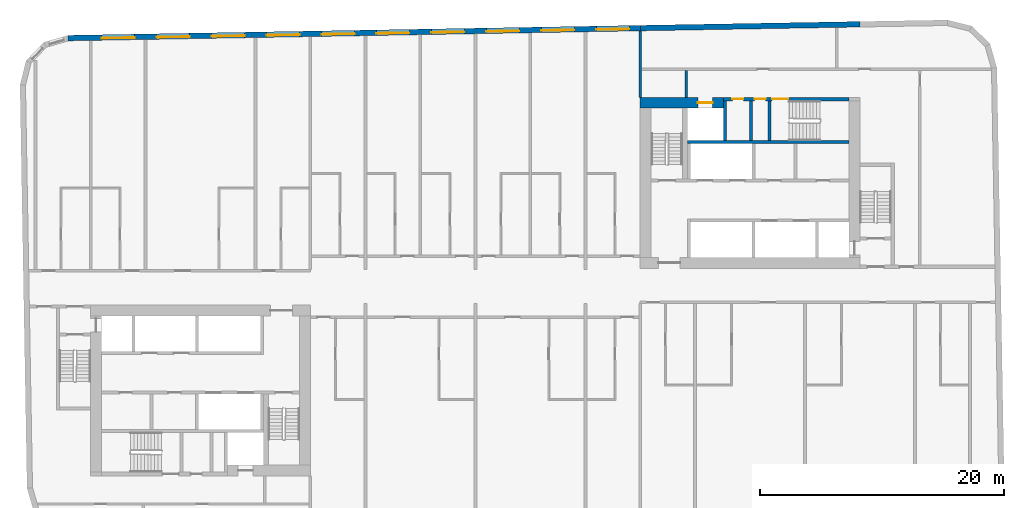
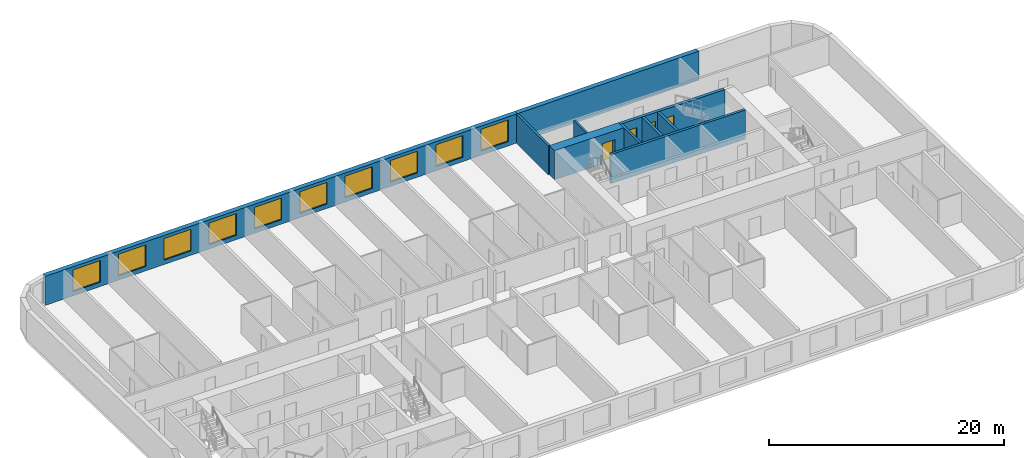
# One storey, part 6 of 11: 10 walls, 10 windows, 4 doors, 14 openings.
"""IFC4 building model written with IfcOpenShell, lengths in metres."""

from ifc_helpers import new_model, si_unit, direction, frame, frame_2d, origin, place, context, subcontext, project, spatial, rectangle, extrude, material, layer, layer_set, type_object, element, fill, save


model = new_model("IFC4")

# Units and contexts
model_context = context("Model", 3, precision=1e-05, world=origin(), true_north=direction((0.0, 1.0)))
body_context = subcontext(model_context, "Body", "Model", "MODEL_VIEW")
ifc_project = project(units=[si_unit("LENGTHUNIT", "METRE"), si_unit("AREAUNIT", "SQUARE_METRE"), si_unit("VOLUMEUNIT", "CUBIC_METRE"), si_unit("PLANEANGLEUNIT", "RADIAN"), si_unit("MASSUNIT", "GRAM", prefix="KILO")], contexts=[model_context])

# Site, building, storey
site_placement = place(None, origin())
site = spatial("IfcSite", under=ifc_project, at=site_placement, CompositionType="ELEMENT")
building_placement = place(site_placement, origin())
building = spatial("IfcBuilding", under=site, at=building_placement, Name="Kajstack Hotel Tower", CompositionType="ELEMENT")
storey_placement = place(building_placement, frame((0.0, 0.0, 224.300048828125)))
storey = spatial("IfcBuildingStorey", under=building, at=storey_placement, Name="L54", CompositionType="ELEMENT", Elevation=224.300048828125)

# Wall, opening, door
ifc_material_1 = material(Name="Concrete C60/75", Category="concrete")
ifc_layer_1 = layer(ifc_material_1, 0.89990234375)
ifc_layer_set_1 = layer_set([ifc_layer_1], Name="Core wall 900")
wall_type_1 = type_object("IfcWallType", Name="Core wall 900", PredefinedType="SHEAR", material=ifc_layer_set_1)
wall_1_placement = place(storey_placement, frame((13.5, 15.050048828125, 0.0), z_axis=(0.0, 0.0, 1.0), x_axis=(1.0, 0.0, 0.0)))
wall_1 = element("IfcWall", 1, at=wall_1_placement, inside=storey, type_object=wall_type_1, Name="Core wall E RS", PredefinedType="SHEAR", context=body_context, shape_type="SweptSolid", body=[
    extrude(rectangle(XDim=6.800048828125, YDim=0.89990234375, at=frame_2d((3.39990234375, 0.0))), origin(), (0.0, 0.0, 1.0), 3.02001953125),
])
opening_1_placement = place(wall_1_placement, frame((4.72509765625, 0.0, 0.0)))
opening_1 = element("IfcOpeningElement", 2, at=opening_1_placement, cuts=wall_1, Name="Opening LD-SV2", PredefinedType="OPENING", context=body_context, shape_type="SweptSolid", body=[
    extrude(rectangle(XDim=1.199951171875, YDim=2.10009765625, at=frame_2d((0.60009765625, 1.050048828125))), frame((0.0, 0.4599609375, 0.0), z_axis=(0.0, -1.0, 0.0), x_axis=(1.0, 0.0, 0.0)), (0.0, 0.0, 1.0), 0.919921875),
])
ifc_material_2 = material(Name="Stainless steel", Category="steel")
door_type_1 = type_object("IfcDoorType", Name="Lift landing door 1200", OperationType="SLIDING_TO_LEFT", PredefinedType="DOOR", material=ifc_material_2)
door_1_placement = place(opening_1_placement, origin())
door_1 = element("IfcDoor", 3, at=door_1_placement, inside=storey, type_object=door_type_1, Name="Landing door SV2", OperationType="SLIDING_TO_LEFT", OverallHeight=2.10009765625, OverallWidth=1.199951171875, PredefinedType="DOOR", context=body_context, shape_type="SweptSolid", body=[
    extrude(rectangle(XDim=1.199951171875, YDim=2.10009765625, at=frame_2d((0.60009765625, 1.050048828125))), frame((0.0, 0.02490234375, 0.0), z_axis=(0.0, -1.0, 0.0), x_axis=(1.0, 0.0, 0.0)), (0.0, 0.0, 1.0), 0.050048828125),
])
fill(opening_1, door_1)

# Walls
ifc_material_3 = material(Name="Twin-frame gypsum board on steel studs, mineral wool", Category="steel")
ifc_layer_2 = layer(ifc_material_3, 0.199951171875)
ifc_layer_set_2 = layer_set([ifc_layer_2], Name="Demising wall 200")
wall_type_2 = type_object("IfcWallType", Name="Demising wall 200", PredefinedType="PARTITIONING", material=ifc_layer_set_2)
wall_2_placement = place(storey_placement, frame((13.5, 15.5, 0.0), z_axis=(0.0, 0.0, 1.0), x_axis=(0.0, 1.0, 0.0)))
element("IfcWall", 4, at=wall_2_placement, inside=storey, type_object=wall_type_2, Name="G-wall-L54-001", PredefinedType="PARTITIONING", context=body_context, shape_type="SweptSolid", body=[
    extrude(rectangle(XDim=5.43603515625, YDim=0.199951171875, at=frame_2d((2.718017578125, 0.0))), origin(), (0.0, 0.0, 1.0), 3.02001953125),
])
ifc_material_4 = material(Name="Concrete C40/50", Category="concrete")
ifc_layer_3 = layer(ifc_material_4, 0.449951171875)
ifc_layer_set_3 = layer_set([ifc_layer_3], Name="EW-CORE")
wall_type_3 = type_object("IfcWallType", Name="EW-CORE", PredefinedType="SOLIDWALL", material=ifc_layer_set_3)
wall_3_placement = place(storey_placement, frame((31.50390625, 21.4755859375, 0.0), z_axis=(0.0, 0.0, 1.0), x_axis=(-0.999847677887, -0.017453395744, 0.0)))
element("IfcWall", 5, at=wall_3_placement, inside=storey, type_object=wall_type_3, Name="E-wall-L54-12-01", PredefinedType="SOLIDWALL", context=body_context, shape_type="SweptSolid", body=[
    extrude(rectangle(XDim=18.002685546875, YDim=0.449951171875, at=frame_2d((9.00146484375, 0.0))), origin(), (0.0, 0.0, 1.0), 3.02001953125),
])

# Wall, openings, windows
ifc_material_5 = material(Name="Terracotta-faced brick masonry", Category="masonry")
ifc_layer_4 = layer(ifc_material_5, 0.449951171875)
ifc_layer_set_4 = layer_set([ifc_layer_4], Name="EW-TERRA")
wall_type_4 = type_object("IfcWallType", Name="EW-TERRA", PredefinedType="SOLIDWALL", material=ifc_layer_set_4)
wall_4_placement = place(storey_placement, frame((13.50390625, 21.161376953125, 0.0), z_axis=(0.0, 0.0, 1.0), x_axis=(-0.999847763257, -0.017448504532, 0.0)))
wall_4 = element("IfcWall", 6, at=wall_4_placement, inside=storey, type_object=wall_type_4, Name="E-wall-L54-12-02", PredefinedType="SOLIDWALL", context=body_context, shape_type="SweptSolid", body=[
    extrude(rectangle(XDim=46.859375, YDim=0.449951171875, at=frame_2d((23.4296875, 0.0))), origin(), (0.0, 0.0, 1.0), 3.02001953125),
])
opening_2_placement = place(wall_4_placement, frame((0.900390625, 0.0, 0.449951171875)))
opening_2 = element("IfcOpeningElement", 7, at=opening_2_placement, cuts=wall_4, Name="Opening W1", PredefinedType="OPENING", context=body_context, shape_type="SweptSolid", body=[
    extrude(rectangle(XDim=2.699951171875, YDim=2.25, at=frame_2d((1.35009765625, 1.125))), frame((0.0, 0.23486328125, 0.0), z_axis=(0.0, -1.0, 0.0), x_axis=(1.0, 0.0, 0.0)), (0.0, 0.0, 1.0), 0.469970703125),
])
opening_3_placement = place(wall_4_placement, frame((5.401123046875, 0.0, 0.449951171875)))
opening_3 = element("IfcOpeningElement", 8, at=opening_3_placement, cuts=wall_4, Name="Opening W1", PredefinedType="OPENING", context=body_context, shape_type="SweptSolid", body=[
    extrude(rectangle(XDim=2.699951171875, YDim=2.25, at=frame_2d((1.35009765625, 1.125))), frame((0.0, 0.23486328125, 0.0), z_axis=(0.0, -1.0, 0.0), x_axis=(1.0, 0.0, 0.0)), (0.0, 0.0, 1.0), 0.469970703125),
])
opening_4_placement = place(wall_4_placement, frame((9.90185546875, 0.0, 0.449951171875)))
opening_4 = element("IfcOpeningElement", 9, at=opening_4_placement, cuts=wall_4, Name="Opening W1", PredefinedType="OPENING", context=body_context, shape_type="SweptSolid", body=[
    extrude(rectangle(XDim=2.699951171875, YDim=2.25, at=frame_2d((1.35009765625, 1.125))), frame((0.0, 0.23486328125, 0.0), z_axis=(0.0, -1.0, 0.0), x_axis=(1.0, 0.0, 0.0)), (0.0, 0.0, 1.0), 0.469970703125),
])
opening_5_placement = place(wall_4_placement, frame((14.40234375, 0.0, 0.449951171875)))
opening_5 = element("IfcOpeningElement", 10, at=opening_5_placement, cuts=wall_4, Name="Opening W1", PredefinedType="OPENING", context=body_context, shape_type="SweptSolid", body=[
    extrude(rectangle(XDim=2.699951171875, YDim=2.25, at=frame_2d((1.35009765625, 1.125))), frame((0.0, 0.23486328125, 0.0), z_axis=(0.0, -1.0, 0.0), x_axis=(1.0, 0.0, 0.0)), (0.0, 0.0, 1.0), 0.469970703125),
])
opening_6_placement = place(wall_4_placement, frame((18.9033203125, 0.0, 0.449951171875)))
opening_6 = element("IfcOpeningElement", 11, at=opening_6_placement, cuts=wall_4, Name="Opening W1", PredefinedType="OPENING", context=body_context, shape_type="SweptSolid", body=[
    extrude(rectangle(XDim=2.699951171875, YDim=2.25, at=frame_2d((1.35009765625, 1.125))), frame((0.0, 0.23486328125, 0.0), z_axis=(0.0, -1.0, 0.0), x_axis=(1.0, 0.0, 0.0)), (0.0, 0.0, 1.0), 0.469970703125),
])
opening_7_placement = place(wall_4_placement, frame((23.40380859375, 0.0, 0.449951171875)))
opening_7 = element("IfcOpeningElement", 12, at=opening_7_placement, cuts=wall_4, Name="Opening W1", PredefinedType="OPENING", context=body_context, shape_type="SweptSolid", body=[
    extrude(rectangle(XDim=2.699951171875, YDim=2.25, at=frame_2d((1.35009765625, 1.125))), frame((0.0, 0.23486328125, 0.0), z_axis=(0.0, -1.0, 0.0), x_axis=(1.0, 0.0, 0.0)), (0.0, 0.0, 1.0), 0.469970703125),
])
opening_8_placement = place(wall_4_placement, frame((27.904296875, 0.0, 0.449951171875)))
opening_8 = element("IfcOpeningElement", 13, at=opening_8_placement, cuts=wall_4, Name="Opening W1", PredefinedType="OPENING", context=body_context, shape_type="SweptSolid", body=[
    extrude(rectangle(XDim=2.699951171875, YDim=2.25, at=frame_2d((1.35009765625, 1.125))), frame((0.0, 0.23486328125, 0.0), z_axis=(0.0, -1.0, 0.0), x_axis=(1.0, 0.0, 0.0)), (0.0, 0.0, 1.0), 0.469970703125),
])
opening_9_placement = place(wall_4_placement, frame((32.4052734375, 0.0, 0.449951171875)))
opening_9 = element("IfcOpeningElement", 14, at=opening_9_placement, cuts=wall_4, Name="Opening W1", PredefinedType="OPENING", context=body_context, shape_type="SweptSolid", body=[
    extrude(rectangle(XDim=2.699951171875, YDim=2.25, at=frame_2d((1.35009765625, 1.125))), frame((0.0, 0.23486328125, 0.0), z_axis=(0.0, -1.0, 0.0), x_axis=(1.0, 0.0, 0.0)), (0.0, 0.0, 1.0), 0.469970703125),
])
opening_10_placement = place(wall_4_placement, frame((36.906005859375, 0.0, 0.449951171875)))
opening_10 = element("IfcOpeningElement", 15, at=opening_10_placement, cuts=wall_4, Name="Opening W1", PredefinedType="OPENING", context=body_context, shape_type="SweptSolid", body=[
    extrude(rectangle(XDim=2.699951171875, YDim=2.25, at=frame_2d((1.35009765625, 1.125))), frame((0.0, 0.23486328125, 0.0), z_axis=(0.0, -1.0, 0.0), x_axis=(1.0, 0.0, 0.0)), (0.0, 0.0, 1.0), 0.469970703125),
])
opening_11_placement = place(wall_4_placement, frame((41.406494140625, 0.0, 0.449951171875)))
opening_11 = element("IfcOpeningElement", 16, at=opening_11_placement, cuts=wall_4, Name="Opening W1", PredefinedType="OPENING", context=body_context, shape_type="SweptSolid", body=[
    extrude(rectangle(XDim=2.699951171875, YDim=2.25, at=frame_2d((1.35009765625, 1.125))), frame((0.0, 0.23486328125, 0.0), z_axis=(0.0, -1.0, 0.0), x_axis=(1.0, 0.0, 0.0)), (0.0, 0.0, 1.0), 0.469970703125),
])
ifc_material_6 = material(Name="Timber-aluminium window, triple glazed", Category="wood")
window_type = type_object("IfcWindowType", Name="WG1", PartitioningType="SINGLE_PANEL", PredefinedType="WINDOW", material=ifc_material_6)
window_1_placement = place(opening_2_placement, origin())
window_1 = element("IfcWindow", 17, at=window_1_placement, inside=storey, type_object=window_type, Name="Window W1 L54-12", OverallHeight=2.25, OverallWidth=2.699951171875, PartitioningType="SINGLE_PANEL", PredefinedType="WINDOW", context=body_context, shape_type="SweptSolid", body=[
    extrude(rectangle(XDim=2.699951171875, YDim=2.25, at=frame_2d((1.35009765625, 1.125))), frame((0.0, 0.090087890625, 0.0), z_axis=(0.0, -1.0, 0.0), x_axis=(1.0, 0.0, 0.0)), (0.0, 0.0, 1.0), 0.06005859375),
])
fill(opening_2, window_1)
window_2_placement = place(opening_3_placement, origin())
window_2 = element("IfcWindow", 18, at=window_2_placement, inside=storey, type_object=window_type, Name="Window W1 L54-12", OverallHeight=2.25, OverallWidth=2.699951171875, PartitioningType="SINGLE_PANEL", PredefinedType="WINDOW", context=body_context, shape_type="SweptSolid", body=[
    extrude(rectangle(XDim=2.699951171875, YDim=2.25, at=frame_2d((1.35009765625, 1.125))), frame((0.0, 0.090087890625, 0.0), z_axis=(0.0, -1.0, 0.0), x_axis=(1.0, 0.0, 0.0)), (0.0, 0.0, 1.0), 0.06005859375),
])
fill(opening_3, window_2)
window_3_placement = place(opening_4_placement, origin())
window_3 = element("IfcWindow", 19, at=window_3_placement, inside=storey, type_object=window_type, Name="Window W1 L54-12", OverallHeight=2.25, OverallWidth=2.699951171875, PartitioningType="SINGLE_PANEL", PredefinedType="WINDOW", context=body_context, shape_type="SweptSolid", body=[
    extrude(rectangle(XDim=2.699951171875, YDim=2.25, at=frame_2d((1.35009765625, 1.125))), frame((0.0, 0.090087890625, 0.0), z_axis=(0.0, -1.0, 0.0), x_axis=(1.0, 0.0, 0.0)), (0.0, 0.0, 1.0), 0.06005859375),
])
fill(opening_4, window_3)
window_4_placement = place(opening_5_placement, origin())
window_4 = element("IfcWindow", 20, at=window_4_placement, inside=storey, type_object=window_type, Name="Window W1 L54-12", OverallHeight=2.25, OverallWidth=2.699951171875, PartitioningType="SINGLE_PANEL", PredefinedType="WINDOW", context=body_context, shape_type="SweptSolid", body=[
    extrude(rectangle(XDim=2.699951171875, YDim=2.25, at=frame_2d((1.35009765625, 1.125))), frame((0.0, 0.090087890625, 0.0), z_axis=(0.0, -1.0, 0.0), x_axis=(1.0, 0.0, 0.0)), (0.0, 0.0, 1.0), 0.06005859375),
])
fill(opening_5, window_4)
window_5_placement = place(opening_6_placement, origin())
window_5 = element("IfcWindow", 21, at=window_5_placement, inside=storey, type_object=window_type, Name="Window W1 L54-12", OverallHeight=2.25, OverallWidth=2.699951171875, PartitioningType="SINGLE_PANEL", PredefinedType="WINDOW", context=body_context, shape_type="SweptSolid", body=[
    extrude(rectangle(XDim=2.699951171875, YDim=2.25, at=frame_2d((1.35009765625, 1.125))), frame((0.0, 0.090087890625, 0.0), z_axis=(0.0, -1.0, 0.0), x_axis=(1.0, 0.0, 0.0)), (0.0, 0.0, 1.0), 0.06005859375),
])
fill(opening_6, window_5)
window_6_placement = place(opening_7_placement, origin())
window_6 = element("IfcWindow", 22, at=window_6_placement, inside=storey, type_object=window_type, Name="Window W1 L54-12", OverallHeight=2.25, OverallWidth=2.699951171875, PartitioningType="SINGLE_PANEL", PredefinedType="WINDOW", context=body_context, shape_type="SweptSolid", body=[
    extrude(rectangle(XDim=2.699951171875, YDim=2.25, at=frame_2d((1.35009765625, 1.125))), frame((0.0, 0.090087890625, 0.0), z_axis=(0.0, -1.0, 0.0), x_axis=(1.0, 0.0, 0.0)), (0.0, 0.0, 1.0), 0.06005859375),
])
fill(opening_7, window_6)
window_7_placement = place(opening_8_placement, origin())
window_7 = element("IfcWindow", 23, at=window_7_placement, inside=storey, type_object=window_type, Name="Window W1 L54-12", OverallHeight=2.25, OverallWidth=2.699951171875, PartitioningType="SINGLE_PANEL", PredefinedType="WINDOW", context=body_context, shape_type="SweptSolid", body=[
    extrude(rectangle(XDim=2.699951171875, YDim=2.25, at=frame_2d((1.35009765625, 1.125))), frame((0.0, 0.090087890625, 0.0), z_axis=(0.0, -1.0, 0.0), x_axis=(1.0, 0.0, 0.0)), (0.0, 0.0, 1.0), 0.06005859375),
])
fill(opening_8, window_7)
window_8_placement = place(opening_9_placement, origin())
window_8 = element("IfcWindow", 24, at=window_8_placement, inside=storey, type_object=window_type, Name="Window W1 L54-12", OverallHeight=2.25, OverallWidth=2.699951171875, PartitioningType="SINGLE_PANEL", PredefinedType="WINDOW", context=body_context, shape_type="SweptSolid", body=[
    extrude(rectangle(XDim=2.699951171875, YDim=2.25, at=frame_2d((1.35009765625, 1.125))), frame((0.0, 0.090087890625, 0.0), z_axis=(0.0, -1.0, 0.0), x_axis=(1.0, 0.0, 0.0)), (0.0, 0.0, 1.0), 0.06005859375),
])
fill(opening_9, window_8)
window_9_placement = place(opening_10_placement, origin())
window_9 = element("IfcWindow", 25, at=window_9_placement, inside=storey, type_object=window_type, Name="Window W1 L54-12", OverallHeight=2.25, OverallWidth=2.699951171875, PartitioningType="SINGLE_PANEL", PredefinedType="WINDOW", context=body_context, shape_type="SweptSolid", body=[
    extrude(rectangle(XDim=2.699951171875, YDim=2.25, at=frame_2d((1.35009765625, 1.125))), frame((0.0, 0.090087890625, 0.0), z_axis=(0.0, -1.0, 0.0), x_axis=(1.0, 0.0, 0.0)), (0.0, 0.0, 1.0), 0.06005859375),
])
fill(opening_10, window_9)
window_10_placement = place(opening_11_placement, origin())
window_10 = element("IfcWindow", 26, at=window_10_placement, inside=storey, type_object=window_type, Name="Window W1 L54-12", OverallHeight=2.25, OverallWidth=2.699951171875, PartitioningType="SINGLE_PANEL", PredefinedType="WINDOW", context=body_context, shape_type="SweptSolid", body=[
    extrude(rectangle(XDim=2.699951171875, YDim=2.25, at=frame_2d((1.35009765625, 1.125))), frame((0.0, 0.090087890625, 0.0), z_axis=(0.0, -1.0, 0.0), x_axis=(1.0, 0.0, 0.0)), (0.0, 0.0, 1.0), 0.06005859375),
])
fill(opening_11, window_10)

# Walls
ifc_material_7 = material(Name="Concrete block masonry", Category="masonry")
ifc_layer_5 = layer(ifc_material_7, 0.25)
ifc_layer_set_5 = layer_set([ifc_layer_5], Name="Riser partition 250")
wall_type_5 = type_object("IfcWallType", Name="Riser partition 250", PredefinedType="PARTITIONING", material=ifc_layer_set_5)
wall_5_placement = place(storey_placement, frame((22.550048828125, 11.949951171875, 0.0), z_axis=(0.0, 0.0, 1.0), x_axis=(0.0, 1.0, 0.0)))
element("IfcWall", 27, at=wall_5_placement, inside=storey, type_object=wall_type_5, Name="Partition E SZ0", PredefinedType="PARTITIONING", context=body_context, shape_type="SweptSolid", body=[
    extrude(rectangle(XDim=3.25, YDim=0.25, at=frame_2d((1.625, 0.0))), origin(), (0.0, 0.0, 1.0), 3.02001953125),
])
ifc_material_8 = material(Name="Gypsum board on steel studs, mineral wool", Category="steel")
ifc_layer_6 = layer(ifc_material_8, 0.199951171875)
ifc_layer_set_6 = layer_set([ifc_layer_6], Name="Service partition 200")
wall_type_6 = type_object("IfcWallType", Name="Service partition 200", PredefinedType="PARTITIONING", material=ifc_layer_set_6)
wall_6_placement = place(storey_placement, frame((17.25, 15.5, 0.0), z_axis=(0.0, 0.0, 1.0), x_axis=(0.0, 1.0, 0.0)))
element("IfcWall", 28, at=wall_6_placement, inside=storey, type_object=wall_type_6, Name="Partition E SCE", PredefinedType="PARTITIONING", context=body_context, shape_type="SweptSolid", body=[
    extrude(rectangle(XDim=2.199951171875, YDim=0.199951171875, at=frame_2d((1.10009765625, 0.0))), origin(), (0.0, 0.0, 1.0), 3.02001953125),
])

# Wall, openings, doors
ifc_material_9 = material(Name="Concrete C50/60", Category="concrete")
ifc_layer_7 = layer(ifc_material_9, 0.25)
ifc_layer_set_7 = layer_set([ifc_layer_7], Name="Shaft wall 250")
wall_type_7 = type_object("IfcWallType", Name="Shaft wall 250", PredefinedType="SHEAR", material=ifc_layer_set_7)
wall_7_placement = place(storey_placement, frame((20.300048828125, 15.35009765625, 0.0), z_axis=(0.0, 0.0, 1.0), x_axis=(1.0, 0.0, 0.0)))
wall_7 = element("IfcWall", 29, at=wall_7_placement, inside=storey, type_object=wall_type_7, Name="Core wall E RSS", PredefinedType="SHEAR", context=body_context, shape_type="SweptSolid", body=[
    extrude(rectangle(XDim=10.300048828125, YDim=0.300048828125, at=frame_2d((5.14990234375, 0.0))), origin(), (0.0, 0.0, 1.0), 3.02001953125),
])
opening_12_placement = place(wall_7_placement, frame((4.0, 0.0, 0.0)))
opening_12 = element("IfcOpeningElement", 30, at=opening_12_placement, cuts=wall_7, Name="Opening 54E12", PredefinedType="OPENING", context=body_context, shape_type="SweptSolid", body=[
    extrude(rectangle(XDim=1.300048828125, YDim=2.10009765625, at=frame_2d((0.64990234375, 1.050048828125))), frame((0.0, 0.159912109375, 0.0), z_axis=(0.0, -1.0, 0.0), x_axis=(1.0, 0.0, 0.0)), (0.0, 0.0, 1.0), 0.320068359375),
])
opening_13_placement = place(wall_7_placement, frame((2.5625, 0.0, 0.0)))
opening_13 = element("IfcOpeningElement", 31, at=opening_13_placement, cuts=wall_7, Name="Opening 54E13", PredefinedType="OPENING", context=body_context, shape_type="SweptSolid", body=[
    extrude(rectangle(XDim=0.89990234375, YDim=2.10009765625, at=frame_2d((0.449951171875, 1.050048828125))), frame((0.0, 0.159912109375, 0.0), z_axis=(0.0, -1.0, 0.0), x_axis=(1.0, 0.0, 0.0)), (0.0, 0.0, 1.0), 0.320068359375),
])
opening_14_placement = place(wall_7_placement, frame((0.737548828125, 0.0, 0.0)))
opening_14 = element("IfcOpeningElement", 32, at=opening_14_placement, cuts=wall_7, Name="Opening 54E14", PredefinedType="OPENING", context=body_context, shape_type="SweptSolid", body=[
    extrude(rectangle(XDim=0.89990234375, YDim=2.10009765625, at=frame_2d((0.449951171875, 1.050048828125))), frame((0.0, 0.159912109375, 0.0), z_axis=(0.0, -1.0, 0.0), x_axis=(1.0, 0.0, 0.0)), (0.0, 0.0, 1.0), 0.320068359375),
])
ifc_material_10 = material(Name="Steel leaf, fire-rated", Category="steel")
door_type_2 = type_object("IfcDoorType", Name="Riser door 900", OperationType="SINGLE_SWING_LEFT", PredefinedType="DOOR", material=ifc_material_10)
door_2_placement = place(opening_14_placement, origin())
door_2 = element("IfcDoor", 33, at=door_2_placement, inside=storey, type_object=door_type_2, Name="Door 54E14", OperationType="SINGLE_SWING_RIGHT", OverallHeight=2.10009765625, OverallWidth=0.89990234375, PredefinedType="DOOR", context=body_context, shape_type="SweptSolid", body=[
    extrude(rectangle(XDim=0.89990234375, YDim=2.10009765625, at=frame_2d((0.449951171875, 1.050048828125))), frame((0.0, 0.02490234375, 0.0), z_axis=(0.0, -1.0, 0.0), x_axis=(1.0, 0.0, 0.0)), (0.0, 0.0, 1.0), 0.050048828125),
])
fill(opening_14, door_2)
ifc_material_11 = material(Name="Timber leaf, fire-rated", Category="wood")
door_type_3 = type_object("IfcDoorType", Name="Service door 900", OperationType="SINGLE_SWING_LEFT", PredefinedType="DOOR", material=ifc_material_11)
door_3_placement = place(opening_13_placement, origin())
door_3 = element("IfcDoor", 34, at=door_3_placement, inside=storey, type_object=door_type_3, Name="Door 54E13", OperationType="SINGLE_SWING_RIGHT", OverallHeight=2.10009765625, OverallWidth=0.89990234375, PredefinedType="DOOR", context=body_context, shape_type="SweptSolid", body=[
    extrude(rectangle(XDim=0.89990234375, YDim=2.10009765625, at=frame_2d((0.449951171875, 1.050048828125))), frame((0.0, 0.02490234375, 0.0), z_axis=(0.0, -1.0, 0.0), x_axis=(1.0, 0.0, 0.0)), (0.0, 0.0, 1.0), 0.050048828125),
])
fill(opening_13, door_3)
door_type_4 = type_object("IfcDoorType", Name="Stair door 1300", OperationType="SINGLE_SWING_LEFT", PredefinedType="DOOR", material=ifc_material_10)
door_4_placement = place(opening_12_placement, origin())
door_4 = element("IfcDoor", 35, at=door_4_placement, inside=storey, type_object=door_type_4, Name="Door 54E12", OperationType="SINGLE_SWING_LEFT", OverallHeight=2.10009765625, OverallWidth=1.300048828125, PredefinedType="DOOR", context=body_context, shape_type="SweptSolid", body=[
    extrude(rectangle(XDim=1.300048828125, YDim=2.10009765625, at=frame_2d((0.64990234375, 1.050048828125))), frame((0.0, 0.02490234375, 0.0), z_axis=(0.0, -1.0, 0.0), x_axis=(1.0, 0.0, 0.0)), (0.0, 0.0, 1.0), 0.050048828125),
])
fill(opening_12, door_4)

# Walls
wall_8_placement = place(storey_placement, frame((17.35009765625, 11.824951171875, 0.0), z_axis=(0.0, 0.0, 1.0), x_axis=(1.0, 0.0, 0.0)))
element("IfcWall", 36, at=wall_8_placement, inside=storey, type_object=wall_type_7, Name="Core wall E RB", PredefinedType="SHEAR", context=body_context, shape_type="SweptSolid", body=[
    extrude(rectangle(XDim=13.25, YDim=0.25, at=frame_2d((6.625, 0.0))), origin(), (0.0, 0.0, 1.0), 3.02001953125),
])
wall_9_placement = place(storey_placement, frame((20.425048828125, 11.949951171875, 0.0), z_axis=(0.0, 0.0, 1.0), x_axis=(0.0, 1.0, 0.0)))
element("IfcWall", 37, at=wall_9_placement, inside=storey, type_object=wall_type_7, Name="Core wall E SVW", PredefinedType="SHEAR", context=body_context, shape_type="SweptSolid", body=[
    extrude(rectangle(XDim=3.25, YDim=0.25, at=frame_2d((1.625, 0.0))), origin(), (0.0, 0.0, 1.0), 3.02001953125),
])
ifc_layer_8 = layer(ifc_material_9, 0.35009765625)
ifc_layer_set_8 = layer_set([ifc_layer_8], Name="Stair enclosure wall 350")
wall_type_8 = type_object("IfcWallType", Name="Stair enclosure wall 350", PredefinedType="SHEAR", material=ifc_layer_set_8)
wall_10_placement = place(storey_placement, frame((24.074951171875, 11.949951171875, 0.0), z_axis=(0.0, 0.0, 1.0), x_axis=(0.0, 1.0, 0.0)))
element("IfcWall", 38, at=wall_10_placement, inside=storey, type_object=wall_type_8, Name="Core wall E W3E", PredefinedType="SHEAR", context=body_context, shape_type="SweptSolid", body=[
    extrude(rectangle(XDim=3.25, YDim=0.25, at=frame_2d((1.625, 0.0))), origin(), (0.0, 0.0, 1.0), 3.02001953125),
])

save(model, "model.ifc")
